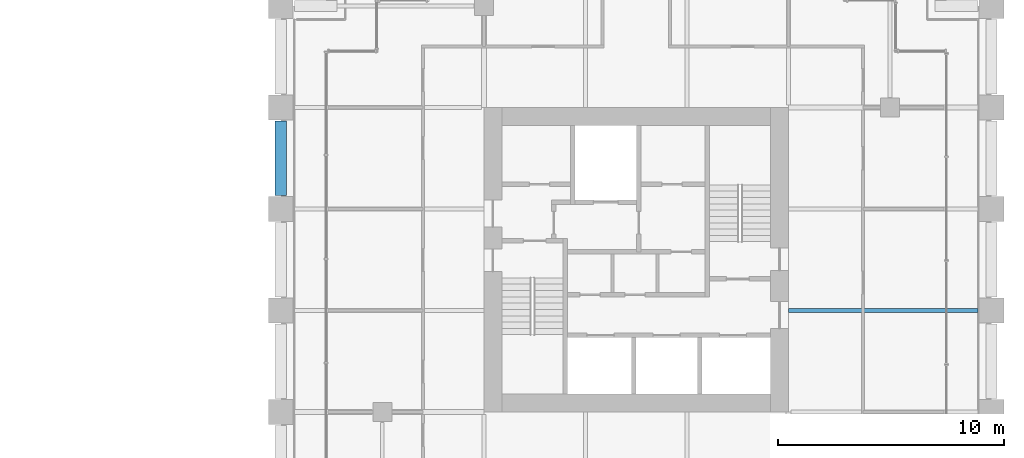
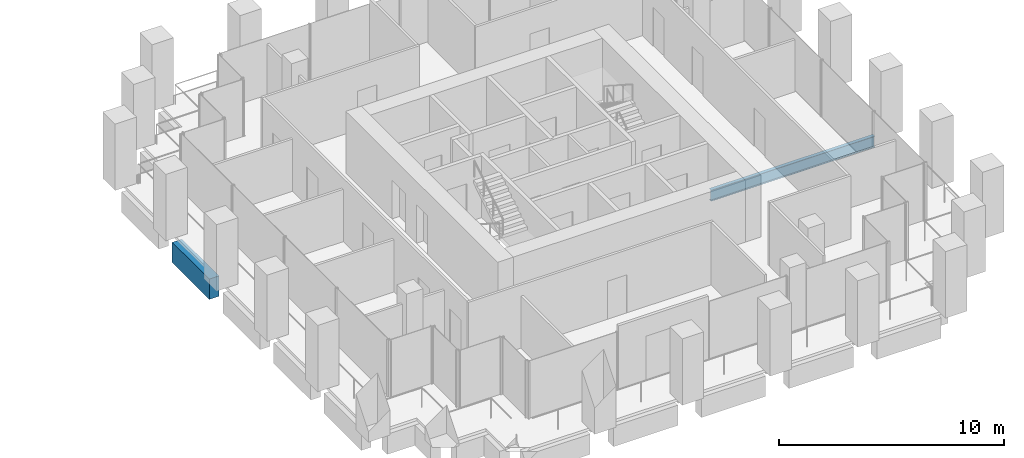
# One storey, part 38 of 55: 2 beams.
"""IFC4 building model written with IfcOpenShell, lengths in metres."""

from ifc_helpers import new_model, si_unit, direction, frame, origin, origin_2d, place, context, subcontext, project, spatial, rectangle, i_section, extrude, material, material_profile, profile_set, type_object, element, save


model = new_model("IFC4")

# Units and contexts
model_context = context("Model", 3, precision=1e-05, world=origin(), true_north=direction((0.0, 1.0)))
body_context = subcontext(model_context, "Body", "Model", "MODEL_VIEW")
ifc_project = project(units=[si_unit("LENGTHUNIT", "METRE"), si_unit("AREAUNIT", "SQUARE_METRE"), si_unit("VOLUMEUNIT", "CUBIC_METRE"), si_unit("PLANEANGLEUNIT", "RADIAN"), si_unit("MASSUNIT", "GRAM", prefix="KILO")], contexts=[model_context])

# Site, building, storey
site_placement = place(None, origin())
site = spatial("IfcSite", under=ifc_project, at=site_placement, CompositionType="ELEMENT")
building_placement = place(site_placement, origin())
building = spatial("IfcBuilding", under=site, at=building_placement, Name="Altepetl Exchange Towers", CompositionType="ELEMENT")
storey_placement = place(building_placement, frame((0.0, 0.0, 47.39990234375)))
storey = spatial("IfcBuildingStorey", under=building, at=storey_placement, Name="L10", CompositionType="ELEMENT", Elevation=47.39990234375)

# Beams
ifc_material_1 = material(Name="Steel S355", Category="steel")
ifc_material_profile_1 = material_profile(ifc_material_1, i_section(OverallWidth=0.177978515625, OverallDepth=0.59912109375, WebThickness=0.010009765625, FlangeThickness=0.0126953125, at=origin_2d()), Name="W24X55")
ifc_profile_set_1 = profile_set([ifc_material_profile_1], Name="Steel S355")
beam_type_1 = type_object("IfcBeamType", Name="Floor beam W24X55", PredefinedType="BEAM", material=ifc_profile_set_1)
beam_1_placement = place(storey_placement, frame((117.0, 40.5, -0.449462890625), z_axis=(1.0, 0.0, 0.0), x_axis=(0.0, 1.0, 0.0)))
element("IfcBeam", 1, at=beam_1_placement, inside=storey, type_object=beam_type_1, Name="bm:B:L10:006", PredefinedType="BEAM", context=body_context, shape_type="SweptSolid", body=[
    extrude(i_section(OverallWidth=0.177978515625, OverallDepth=0.59912109375, WebThickness=0.010009765625, FlangeThickness=0.0126953125, at=origin_2d()), origin(), (0.0, 0.0, 1.0), 8.39990234375),
])
ifc_material_2 = material(Name="Concrete C50/60 precast with cantera rosa facing", Category="concrete")
ifc_material_profile_2 = material_profile(ifc_material_2, rectangle(XDim=0.5, YDim=1.10009765625, at=origin_2d()), Name="500 x 1100")
ifc_profile_set_2 = profile_set([ifc_material_profile_2], Name="Concrete C50/60 precast with cantera rosa facing")
beam_type_2 = type_object("IfcBeamType", Name="Spandrel beam 500x1100 cantera rosa", PredefinedType="SPANDREL", material=ifc_profile_set_2)
beam_2_placement = place(storey_placement, frame((94.5, 48.89990234375, -0.699951171875), z_axis=(0.0, -1.0, 0.0), x_axis=(1.0, 0.0, 0.0)))
element("IfcBeam", 2, at=beam_2_placement, inside=storey, type_object=beam_type_2, Name="sp:B:L10:028", PredefinedType="SPANDREL", context=body_context, shape_type="SweptSolid", body=[
    extrude(rectangle(XDim=0.5, YDim=1.10009765625, at=origin_2d()), origin(), (0.0, 0.0, 1.0), 3.2998046875),
])

save(model, "model.ifc")
